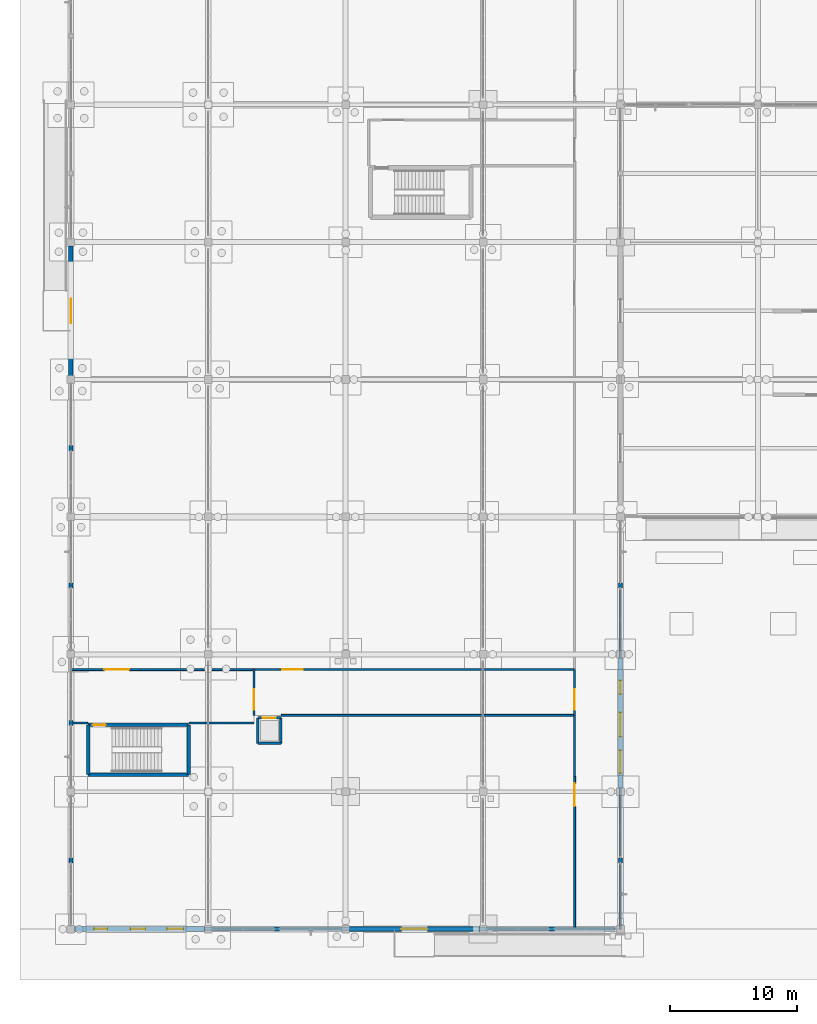
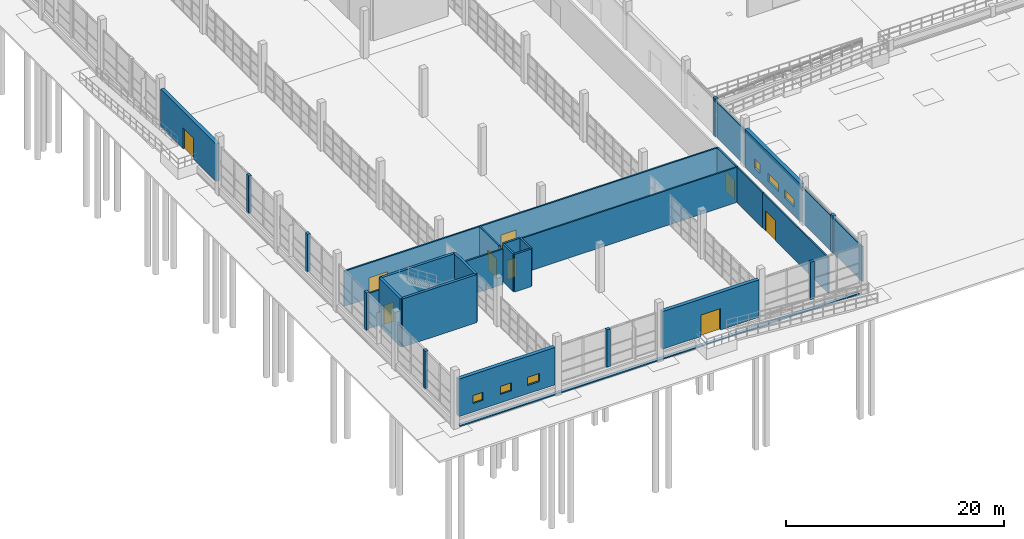
# One storey, part 98 of 138: 33 walls, 9 doors, 6 windows, 15 openings.
"""IFC4 building model written with IfcOpenShell, lengths in metres."""

import ifcopenshell
import ifcopenshell.guid

model = None  # the IFC model being written
_history = None  # IfcOwnerHistory: only IFC2X3 demands one
_inside = {}  # id of a spatial element -> (the spatial element, [elements in it])
_under = {}  # id of a project, library or spatial element -> (it, [spatial elements below it])
_declared = {}  # id of a project -> (the project, [libraries it declares])
_typed = {}  # id of a type object -> (the type object, [elements of that type])
_made_of = {}  # id of a material, layer set ... -> (it, [elements and type objects made of it])


def new_model(schema):
    """Start an empty IFC model of exactly this schema.

    Asked for "IFC4X3", IfcOpenShell would pick the latest addendum, in which some entities
    have other attributes; the version numbers below select the first issue.
    IFC2X3 requires an IfcOwnerHistory on every rooted entity: one is made here for all.
    """
    global model, _history
    if schema == "IFC4X3":
        model = ifcopenshell.file(schema_version=(4, 3, 0, 0))
    else:
        model = ifcopenshell.file(schema=schema)
    _inside.clear()
    _under.clear()
    _declared.clear()
    _typed.clear()
    _made_of.clear()
    _history = None
    if model.schema == "IFC2X3":
        org = make("IfcOrganization", Name="unknown")
        user = make(
            "IfcPersonAndOrganization",
            ThePerson=make("IfcPerson", FamilyName="unknown"),
            TheOrganization=org,
        )
        app = make(
            "IfcApplication",
            ApplicationDeveloper=org,
            Version="unknown",
            ApplicationFullName="unknown",
            ApplicationIdentifier="unknown",
        )
        _history = make(
            "IfcOwnerHistory",
            OwningUser=user,
            OwningApplication=app,
            ChangeAction="ADDED",
            CreationDate=0,
        )
    return model


def make(cls, **values):
    """One entity of the class cls with the attributes given. An attribute that is None is left unset."""
    return model.create_entity(
        cls, **{name: value for name, value in values.items() if value is not None}
    )


def rooted(cls, **values):
    """An entity with a GlobalId (a new one), such as an element, a storey or a relation."""
    return make(cls, GlobalId=ifcopenshell.guid.new(), OwnerHistory=_history, **values)


def si_unit(unit_type, name, prefix=None):
    """IfcSIUnit, for example si_unit("LENGTHUNIT", "METRE", prefix="MILLI")."""
    return make("IfcSIUnit", UnitType=unit_type, Prefix=prefix, Name=name)


def assignment(units):
    """IfcUnitAssignment: the units of a project."""
    return None if units is None else make("IfcUnitAssignment", Units=units)


def point(xyz):
    """IfcCartesianPoint."""
    return None if xyz is None else make("IfcCartesianPoint", Coordinates=xyz)


def direction(xyz):
    """IfcDirection."""
    return None if xyz is None else make("IfcDirection", DirectionRatios=xyz)


def frame(location, z_axis=None, x_axis=None):
    """IfcAxis2Placement3D, a coordinate frame: its origin and axes. An axis left out is left unset."""
    return make(
        "IfcAxis2Placement3D",
        Location=point(location),
        Axis=direction(z_axis),
        RefDirection=direction(x_axis),
    )


def frame_2d(location, x_axis=None):
    """IfcAxis2Placement2D, a coordinate frame in the plane: its origin and x axis."""
    return make(
        "IfcAxis2Placement2D", Location=point(location), RefDirection=direction(x_axis)
    )


def origin():
    """The frame at (0, 0, 0) with its axes left unset."""
    return frame((0.0, 0.0, 0.0))


def place(relative_to, where):
    """IfcLocalPlacement: puts the frame where relative to a parent placement (None: the world)."""
    return make(
        "IfcLocalPlacement", PlacementRelTo=relative_to, RelativePlacement=where
    )


def context(
    kind, dimensions, precision=None, world=None, true_north=None, identifier=None
):
    """IfcGeometricRepresentationContext, for example the 3D "Model" context."""
    return make(
        "IfcGeometricRepresentationContext",
        ContextIdentifier=identifier,
        ContextType=kind,
        CoordinateSpaceDimension=dimensions,
        Precision=precision,
        WorldCoordinateSystem=world,
        TrueNorth=true_north,
    )


def subcontext(parent, identifier, kind, view, scale=None):
    """IfcGeometricRepresentationSubContext, for example "Body" below "Model"."""
    return make(
        "IfcGeometricRepresentationSubContext",
        ContextIdentifier=identifier,
        ContextType=kind,
        ParentContext=parent,
        TargetScale=scale,
        TargetView=view,
    )


def project(units=None, contexts=None):
    """IfcProject with its units and contexts."""
    return rooted(
        "IfcProject",
        Name="project",
        RepresentationContexts=contexts,
        UnitsInContext=assignment(units),
    )


def spatial(cls, under=None, at=None, **own):
    """A site, building, storey or space (cls), placed at a placement, below another one or the project."""
    s = rooted(cls, ObjectPlacement=at, **own)
    if under is not None:
        _under.setdefault(under.id(), (under, []))[1].append(s)
    return s


def profile(cls, at=None, kind="AREA", **sizes):
    """A parametric profile (cls). Its sizes go by their IFC names, for example OverallWidth=200.0."""
    return make(cls, ProfileType=kind, Position=at, **sizes)


def rectangle(**sizes):
    """IfcRectangleProfileDef."""
    return profile("IfcRectangleProfileDef", **sizes)


def extrude(swept, where, along, depth):
    """IfcExtrudedAreaSolid: the profile swept, set in the frame where, extruded along a direction by depth."""
    return make(
        "IfcExtrudedAreaSolid",
        SweptArea=swept,
        Position=where,
        ExtrudedDirection=direction(along),
        Depth=depth,
    )


def shape(context_of_items, identifier, shape_type, items):
    """IfcShapeRepresentation: the items that make up one representation, for example the "Body"."""
    return make(
        "IfcShapeRepresentation",
        ContextOfItems=context_of_items,
        RepresentationIdentifier=identifier,
        RepresentationType=shape_type,
        Items=items,
    )


def material(Name=None, Category=None):
    """IfcMaterial."""
    return make("IfcMaterial", Name=Name, Category=Category)


def layer(
    of_material, thickness, ventilated=None, Name=None, Category=None, Priority=None
):
    """IfcMaterialLayer: one layer of a wall or slab, of a material (None: an air gap)."""
    return make(
        "IfcMaterialLayer",
        Material=of_material,
        LayerThickness=thickness,
        IsVentilated=ventilated,
        Name=Name,
        Category=Category,
        Priority=Priority,
    )


def layer_set(layers, Name=None):
    """IfcMaterialLayerSet."""
    return make("IfcMaterialLayerSet", MaterialLayers=layers, LayerSetName=Name)


def made_of(thing, what):
    """Note that an element or type object is made of a material, layer set ...; save() writes the relation."""
    if what is not None:
        _made_of.setdefault(what.id(), (what, []))[1].append(thing)
    return thing


def type_object(cls, material=None, **own):
    """A type object (cls), such as IfcWallType, which elements share."""
    return made_of(rooted(cls, **own), material)


def element(
    cls,
    number,
    at=None,
    inside=None,
    cuts=None,
    type_object=None,
    material=None,
    context=None,
    identifier="Body",
    shape_type=None,
    held_by="IfcProductDefinitionShape",
    body=None,
    shapes=None,
    **own,
):
    """One element of the class cls, such as IfcWall. Its Tag is "e" and its number.

    at: its placement. inside: the storey or other place that contains it. cuts: it is an
    opening in that element (IfcRelVoidsElement). A single representation is given by context,
    identifier, shape_type and body (its items); several are given by shapes. held_by: the class
    of the entity that holds the representations. save() writes the other relations.
    """
    e = rooted(cls, Tag="e%d" % number, ObjectPlacement=at, **own)
    if body is not None:
        shapes = [shape(context, identifier, shape_type, body)]
    if shapes is not None:
        e.Representation = make(held_by, Representations=shapes)
    if inside is not None:
        _inside.setdefault(inside.id(), (inside, []))[1].append(e)
    if cuts is not None:
        rooted(
            "IfcRelVoidsElement", RelatingBuildingElement=cuts, RelatedOpeningElement=e
        )
    if type_object is not None:
        _typed.setdefault(type_object.id(), (type_object, []))[1].append(e)
    return made_of(e, material)


def fill(opening, filler):
    """IfcRelFillsElement: the door or window that sits in an opening."""
    return rooted(
        "IfcRelFillsElement",
        RelatingOpeningElement=opening,
        RelatedBuildingElement=filler,
    )


def aggregate(whole, parts):
    """IfcRelAggregates: a whole, such as a stair, and the parts it consists of."""
    return rooted("IfcRelAggregates", RelatingObject=whole, RelatedObjects=parts)


def save(model, path):
    """Write the relations noted so far, then the file.

    IfcRelAggregates (storeys below a building ...), IfcRelContainedInSpatialStructure (elements
    in a storey), IfcRelDefinesByType, IfcRelAssociatesMaterial and IfcRelDeclares: one each for
    every whole, place, type object, material and project.
    """
    for whole, parts in _under.values():
        aggregate(whole, parts)
    for where, things in _inside.values():
        rooted(
            "IfcRelContainedInSpatialStructure",
            RelatedElements=things,
            RelatingStructure=where,
        )
    for kind, things in _typed.values():
        rooted("IfcRelDefinesByType", RelatedObjects=things, RelatingType=kind)
    for what, things in _made_of.values():
        rooted("IfcRelAssociatesMaterial", RelatedObjects=things, RelatingMaterial=what)
    for by, libraries in _declared.values():
        rooted("IfcRelDeclares", RelatingContext=by, RelatedDefinitions=libraries)
    model.write(path)


model = new_model("IFC4")

# Units and contexts
model_context = context("Model", 3, precision=1e-05, world=origin(), true_north=direction((0.0, 1.0)))
body_context = subcontext(model_context, "Body", "Model", "MODEL_VIEW")
ifc_project = project(units=[si_unit("LENGTHUNIT", "METRE"), si_unit("AREAUNIT", "SQUARE_METRE"), si_unit("VOLUMEUNIT", "CUBIC_METRE"), si_unit("PLANEANGLEUNIT", "RADIAN"), si_unit("MASSUNIT", "GRAM", prefix="KILO")], contexts=[model_context])

# Site, building, storey
site_placement = place(None, origin())
site = spatial("IfcSite", under=ifc_project, at=site_placement, CompositionType="ELEMENT")
building_placement = place(site_placement, origin())
building = spatial("IfcBuilding", under=site, at=building_placement, Name="Zwinboog Wholesale Market", CompositionType="ELEMENT")
storey_placement = place(building_placement, origin())
storey = spatial("IfcBuildingStorey", under=building, at=storey_placement, Name="L00", CompositionType="ELEMENT", Elevation=0.0)

# Wall, opening, door
ifc_material_1 = material(Name="Precast concrete C45/55", Category="concrete")
ifc_layer_1 = layer(ifc_material_1, 0.3701171875)
ifc_layer_set_1 = layer_set([ifc_layer_1], Name="Precast concrete C45/55")
wall_type_1 = type_object("IfcWallType", Name="WT-EW-370", PredefinedType="STANDARD", material=ifc_layer_set_1)
wall_1_placement = place(storey_placement, frame((0.0, 43.4951171875, 0.0), z_axis=(0.0, 0.0, 1.0), x_axis=(0.0, 1.0, 0.0)))
wall_1 = element("IfcWall", 1, at=wall_1_placement, inside=storey, type_object=wall_type_1, Name="EW-01 (WL-EW-L00-006)", PredefinedType="STANDARD", context=body_context, shape_type="SweptSolid", body=[
    extrude(rectangle(XDim=10.2099609375, YDim=0.3701171875, at=frame_2d((5.10498046875, 0.0))), origin(), (0.0, 0.0, 1.0), 4.197998046875),
])
opening_1_placement = place(wall_1_placement, frame((4.14501953125, 0.0, 0.0)))
opening_1 = element("IfcOpeningElement", 2, at=opening_1_placement, cuts=wall_1, Name="Opening EX-01", PredefinedType="OPENING", context=body_context, shape_type="SweptSolid", body=[
    extrude(rectangle(XDim=1.919921875, YDim=2.35009765625, at=frame_2d((0.9599609375, 1.175048828125))), frame((0.0, 0.195068359375, 0.0), z_axis=(0.0, -1.0, 0.0), x_axis=(1.0, 0.0, 0.0)), (0.0, 0.0, 1.0), 0.39013671875),
])
ifc_material_2 = material(Name="Insulated powder-coated steel and aluminium door", Category="steel")
door_type_1 = type_object("IfcDoorType", Name="EDT-EX-192", OperationType="DOUBLE_DOOR_SINGLE_SWING", PredefinedType="DOOR", material=ifc_material_2)
door_1_placement = place(opening_1_placement, origin())
door_1 = element("IfcDoor", 3, at=door_1_placement, inside=storey, type_object=door_type_1, Name="Pedestrian Exit Door EX-01", OperationType="DOUBLE_DOOR_SINGLE_SWING", OverallHeight=2.35009765625, OverallWidth=1.919921875, PredefinedType="DOOR", context=body_context, shape_type="SweptSolid", body=[
    extrude(rectangle(XDim=1.919921875, YDim=2.35009765625, at=frame_2d((0.9599609375, 1.175048828125))), frame((0.0, 0.02490234375, 0.0), z_axis=(0.0, -1.0, 0.0), x_axis=(1.0, 0.0, 0.0)), (0.0, 0.0, 1.0), 0.050048828125),
])
fill(opening_1, door_1)

# Wall, openings, windows
ifc_layer_2 = layer(ifc_material_1, 0.389892578125)
ifc_layer_set_2 = layer_set([ifc_layer_2], Name="Precast concrete C45/55")
wall_type_2 = type_object("IfcWallType", Name="WT-EW-390", PredefinedType="STANDARD", material=ifc_layer_set_2)
wall_2_placement = place(storey_placement, frame((0.294921875, 0.0, 0.0), z_axis=(0.0, 0.0, 1.0), x_axis=(1.0, 0.0, 0.0)))
wall_2 = element("IfcWall", 4, at=wall_2_placement, inside=storey, type_object=wall_type_2, Name="EW-02 (WL-EW-L00-001)", PredefinedType="STANDARD", context=body_context, shape_type="SweptSolid", body=[
    extrude(rectangle(XDim=10.2099609375, YDim=0.389892578125, at=frame_2d((5.10498046875, 0.0))), origin(), (0.0, 0.0, 1.0), 4.197998046875),
])
opening_2_placement = place(wall_2_placement, frame((1.52490234375, 0.0, 0.949951171875)))
opening_2 = element("IfcOpeningElement", 5, at=opening_2_placement, cuts=wall_2, Name="Opening WN-01", PredefinedType="OPENING", context=body_context, shape_type="SweptSolid", body=[
    extrude(rectangle(XDim=1.050048828125, YDim=0.89990234375, at=frame_2d((0.52490234375, 0.449951171875))), frame((0.0, 0.204833984375, 0.0), z_axis=(0.0, -1.0, 0.0), x_axis=(1.0, 0.0, 0.0)), (0.0, 0.0, 1.0), 0.409912109375),
])
opening_3_placement = place(wall_2_placement, frame((4.39501953125, 0.0, 0.949951171875)))
opening_3 = element("IfcOpeningElement", 6, at=opening_3_placement, cuts=wall_2, Name="Opening WN-02", PredefinedType="OPENING", context=body_context, shape_type="SweptSolid", body=[
    extrude(rectangle(XDim=1.169921875, YDim=0.89990234375, at=frame_2d((0.5849609375, 0.449951171875))), frame((0.0, 0.204833984375, 0.0), z_axis=(0.0, -1.0, 0.0), x_axis=(1.0, 0.0, 0.0)), (0.0, 0.0, 1.0), 0.409912109375),
])
opening_4_placement = place(wall_2_placement, frame((7.264892578125, 0.0, 0.949951171875)))
opening_4 = element("IfcOpeningElement", 7, at=opening_4_placement, cuts=wall_2, Name="Opening WN-03", PredefinedType="OPENING", context=body_context, shape_type="SweptSolid", body=[
    extrude(rectangle(XDim=1.2900390625, YDim=0.89990234375, at=frame_2d((0.64501953125, 0.449951171875))), frame((0.0, 0.204833984375, 0.0), z_axis=(0.0, -1.0, 0.0), x_axis=(1.0, 0.0, 0.0)), (0.0, 0.0, 1.0), 0.409912109375),
])
ifc_material_3 = material(Name="Thermally broken aluminium low-e window", Category="aluminium")
window_type_1 = type_object("IfcWindowType", Name="WNT-01", PartitioningType="SINGLE_PANEL", PredefinedType="WINDOW", material=ifc_material_3)
window_1_placement = place(opening_2_placement, frame((1.050048828125, 0.0, 0.0), z_axis=(0.0, 0.0, 1.0), x_axis=(-1.0, 0.0, 0.0)))
window_1 = element("IfcWindow", 8, at=window_1_placement, inside=storey, type_object=window_type_1, Name="WN-01 (WIN-L00-0001)", OverallHeight=0.89990234375, OverallWidth=1.050048828125, PartitioningType="SINGLE_PANEL", PredefinedType="WINDOW", context=body_context, shape_type="SweptSolid", body=[
    extrude(rectangle(XDim=1.050048828125, YDim=0.89990234375, at=frame_2d((0.52490234375, 0.449951171875))), frame((0.0, 0.030029296875, 0.0), z_axis=(0.0, -1.0, 0.0), x_axis=(1.0, 0.0, 0.0)), (0.0, 0.0, 1.0), 0.06005859375),
])
fill(opening_2, window_1)
window_type_2 = type_object("IfcWindowType", Name="WNT-02", PartitioningType="SINGLE_PANEL", PredefinedType="WINDOW", material=ifc_material_3)
window_2_placement = place(opening_3_placement, frame((1.169921875, 0.0, 0.0), z_axis=(0.0, 0.0, 1.0), x_axis=(-1.0, 0.0, 0.0)))
window_2 = element("IfcWindow", 9, at=window_2_placement, inside=storey, type_object=window_type_2, Name="WN-02 (WIN-L00-0002)", OverallHeight=0.89990234375, OverallWidth=1.169921875, PartitioningType="SINGLE_PANEL", PredefinedType="WINDOW", context=body_context, shape_type="SweptSolid", body=[
    extrude(rectangle(XDim=1.169921875, YDim=0.89990234375, at=frame_2d((0.5849609375, 0.449951171875))), frame((0.0, 0.030029296875, 0.0), z_axis=(0.0, -1.0, 0.0), x_axis=(1.0, 0.0, 0.0)), (0.0, 0.0, 1.0), 0.06005859375),
])
fill(opening_3, window_2)
window_type_3 = type_object("IfcWindowType", Name="WNT-03", PartitioningType="SINGLE_PANEL", PredefinedType="WINDOW", material=ifc_material_3)
window_3_placement = place(opening_4_placement, frame((1.2900390625, 0.0, 0.0), z_axis=(0.0, 0.0, 1.0), x_axis=(-1.0, 0.0, 0.0)))
window_3 = element("IfcWindow", 10, at=window_3_placement, inside=storey, type_object=window_type_3, Name="WN-03 (WIN-L00-0003)", OverallHeight=0.89990234375, OverallWidth=1.2900390625, PartitioningType="SINGLE_PANEL", PredefinedType="WINDOW", context=body_context, shape_type="SweptSolid", body=[
    extrude(rectangle(XDim=1.2900390625, YDim=0.89990234375, at=frame_2d((0.64501953125, 0.449951171875))), frame((0.0, 0.030029296875, 0.0), z_axis=(0.0, -1.0, 0.0), x_axis=(1.0, 0.0, 0.0)), (0.0, 0.0, 1.0), 0.06005859375),
])
fill(opening_4, window_3)

# Wall, opening, door
wall_3_placement = place(storey_placement, frame((21.89501953125, 0.0, 0.0), z_axis=(0.0, 0.0, 1.0), x_axis=(1.0, 0.0, 0.0)))
wall_3 = element("IfcWall", 11, at=wall_3_placement, inside=storey, type_object=wall_type_2, Name="EW-02 (WL-EW-L00-017)", PredefinedType="STANDARD", context=body_context, shape_type="SweptSolid", body=[
    extrude(rectangle(XDim=10.2099609375, YDim=0.389892578125, at=frame_2d((5.10498046875, 0.0))), origin(), (0.0, 0.0, 1.0), 4.197998046875),
])
opening_5_placement = place(wall_3_placement, frame((4.074951171875, 0.0, 0.0)))
opening_5 = element("IfcOpeningElement", 12, at=opening_5_placement, cuts=wall_3, Name="Opening EX-02", PredefinedType="OPENING", context=body_context, shape_type="SweptSolid", body=[
    extrude(rectangle(XDim=2.06005859375, YDim=2.39990234375, at=frame_2d((1.030029296875, 1.199951171875))), frame((0.0, 0.204833984375, 0.0), z_axis=(0.0, -1.0, 0.0), x_axis=(1.0, 0.0, 0.0)), (0.0, 0.0, 1.0), 0.409912109375),
])
door_type_2 = type_object("IfcDoorType", Name="EDT-EX-206", OperationType="DOUBLE_DOOR_SINGLE_SWING", PredefinedType="DOOR", material=ifc_material_2)
door_2_placement = place(opening_5_placement, frame((2.06005859375, 0.0, 0.0), z_axis=(0.0, 0.0, 1.0), x_axis=(-1.0, 0.0, 0.0)))
door_2 = element("IfcDoor", 13, at=door_2_placement, inside=storey, type_object=door_type_2, Name="Pedestrian Exit Door EX-02", OperationType="DOUBLE_DOOR_SINGLE_SWING", OverallHeight=2.39990234375, OverallWidth=2.06005859375, PredefinedType="DOOR", context=body_context, shape_type="SweptSolid", body=[
    extrude(rectangle(XDim=2.06005859375, YDim=2.39990234375, at=frame_2d((1.030029296875, 1.199951171875))), frame((0.0, 0.02490234375, 0.0), z_axis=(0.0, -1.0, 0.0), x_axis=(1.0, 0.0, 0.0)), (0.0, 0.0, 1.0), 0.050048828125),
])
fill(opening_5, door_2)

# Wall, openings, windows
wall_4_placement = place(storey_placement, frame((43.199951171875, 11.094970703125, 0.0), z_axis=(0.0, 0.0, 1.0), x_axis=(0.0, 1.0, 0.0)))
wall_4 = element("IfcWall", 14, at=wall_4_placement, inside=storey, type_object=wall_type_2, Name="EW-02 (WL-EW-L00-021)", PredefinedType="STANDARD", context=body_context, shape_type="SweptSolid", body=[
    extrude(rectangle(XDim=10.2099609375, YDim=0.389892578125, at=frame_2d((5.10498046875, 0.0))), origin(), (0.0, 0.0, 1.0), 4.25),
])
opening_6_placement = place(wall_4_placement, frame((1.1650390625, 0.0, 0.949951171875)))
opening_6 = element("IfcOpeningElement", 15, at=opening_6_placement, cuts=wall_4, Name="Opening WN-07", PredefinedType="OPENING", context=body_context, shape_type="SweptSolid", body=[
    extrude(rectangle(XDim=1.77001953125, YDim=0.89990234375, at=frame_2d((0.885009765625, 0.449951171875))), frame((0.0, 0.204833984375, 0.0), z_axis=(0.0, -1.0, 0.0), x_axis=(1.0, 0.0, 0.0)), (0.0, 0.0, 1.0), 0.409912109375),
])
opening_7_placement = place(wall_4_placement, frame((4.034912109375, 0.0, 0.949951171875)))
opening_7 = element("IfcOpeningElement", 16, at=opening_7_placement, cuts=wall_4, Name="Opening WN-08", PredefinedType="OPENING", context=body_context, shape_type="SweptSolid", body=[
    extrude(rectangle(XDim=1.889892578125, YDim=0.89990234375, at=frame_2d((0.94482421875, 0.449951171875))), frame((0.0, 0.204833984375, 0.0), z_axis=(0.0, -1.0, 0.0), x_axis=(1.0, 0.0, 0.0)), (0.0, 0.0, 1.0), 0.409912109375),
])
opening_8_placement = place(wall_4_placement, frame((7.385009765625, 0.0, 0.949951171875)))
opening_8 = element("IfcOpeningElement", 17, at=opening_8_placement, cuts=wall_4, Name="Opening WN-09", PredefinedType="OPENING", context=body_context, shape_type="SweptSolid", body=[
    extrude(rectangle(XDim=1.050048828125, YDim=1.050048828125, at=frame_2d((0.52490234375, 0.52490234375))), frame((0.0, 0.204833984375, 0.0), z_axis=(0.0, -1.0, 0.0), x_axis=(1.0, 0.0, 0.0)), (0.0, 0.0, 1.0), 0.409912109375),
])
window_type_4 = type_object("IfcWindowType", Name="WNT-07", PartitioningType="SINGLE_PANEL", PredefinedType="WINDOW", material=ifc_material_3)
window_4_placement = place(opening_6_placement, frame((1.77001953125, 0.0, 0.0), z_axis=(0.0, 0.0, 1.0), x_axis=(-1.0, 0.0, 0.0)))
window_4 = element("IfcWindow", 18, at=window_4_placement, inside=storey, type_object=window_type_4, Name="WN-07 (WIN-L00-0007)", OverallHeight=0.89990234375, OverallWidth=1.77001953125, PartitioningType="SINGLE_PANEL", PredefinedType="WINDOW", context=body_context, shape_type="SweptSolid", body=[
    extrude(rectangle(XDim=1.77001953125, YDim=0.89990234375, at=frame_2d((0.885009765625, 0.449951171875))), frame((0.0, 0.030029296875, 0.0), z_axis=(0.0, -1.0, 0.0), x_axis=(1.0, 0.0, 0.0)), (0.0, 0.0, 1.0), 0.06005859375),
])
fill(opening_6, window_4)
window_type_5 = type_object("IfcWindowType", Name="WNT-08", PartitioningType="SINGLE_PANEL", PredefinedType="WINDOW", material=ifc_material_3)
window_5_placement = place(opening_7_placement, frame((1.889892578125, 0.0, 0.0), z_axis=(0.0, 0.0, 1.0), x_axis=(-1.0, 0.0, 0.0)))
window_5 = element("IfcWindow", 19, at=window_5_placement, inside=storey, type_object=window_type_5, Name="WN-08 (WIN-L00-0008)", OverallHeight=0.89990234375, OverallWidth=1.889892578125, PartitioningType="SINGLE_PANEL", PredefinedType="WINDOW", context=body_context, shape_type="SweptSolid", body=[
    extrude(rectangle(XDim=1.889892578125, YDim=0.89990234375, at=frame_2d((0.94482421875, 0.449951171875))), frame((0.0, 0.030029296875, 0.0), z_axis=(0.0, -1.0, 0.0), x_axis=(1.0, 0.0, 0.0)), (0.0, 0.0, 1.0), 0.06005859375),
])
fill(opening_7, window_5)
window_type_6 = type_object("IfcWindowType", Name="WNT-09", PartitioningType="SINGLE_PANEL", PredefinedType="WINDOW", material=ifc_material_3)
window_6_placement = place(opening_8_placement, frame((1.050048828125, 0.0, 0.0), z_axis=(0.0, 0.0, 1.0), x_axis=(-1.0, 0.0, 0.0)))
window_6 = element("IfcWindow", 20, at=window_6_placement, inside=storey, type_object=window_type_6, Name="WN-09 (WIN-L00-0009)", OverallHeight=1.050048828125, OverallWidth=1.050048828125, PartitioningType="SINGLE_PANEL", PredefinedType="WINDOW", context=body_context, shape_type="SweptSolid", body=[
    extrude(rectangle(XDim=1.050048828125, YDim=1.050048828125, at=frame_2d((0.52490234375, 0.52490234375))), frame((0.0, 0.030029296875, 0.0), z_axis=(0.0, -1.0, 0.0), x_axis=(1.0, 0.0, 0.0)), (0.0, 0.0, 1.0), 0.06005859375),
])
fill(opening_8, window_6)

# Walls
ifc_layer_3 = layer(ifc_material_1, 0.304931640625)
ifc_layer_set_3 = layer_set([ifc_layer_3], Name="Precast concrete C45/55")
wall_type_3 = type_object("IfcWallType", Name="WT-EW-305", PredefinedType="STANDARD", material=ifc_layer_set_3)
wall_5_placement = place(storey_placement, frame((0.0, 5.199951171875, 0.0), z_axis=(0.0, 0.0, 1.0), x_axis=(0.0, 1.0, 0.0)))
element("IfcWall", 21, at=wall_5_placement, inside=storey, type_object=wall_type_3, Name="EW-07 (WL-PIER-L00-002)", PredefinedType="STANDARD", context=body_context, shape_type="SweptSolid", body=[
    extrude(rectangle(XDim=0.400146484375, YDim=0.304931640625, at=frame_2d((0.2001953125, 0.0))), origin(), (0.0, 0.0, 1.0), 4.197998046875),
])
for number, where, z_axis, x_axis, name in (
    (22, (0.0, 16.0, 0.0), (0.0, 0.0, 1.0), (0.0, 1.0, 0.0), "EW-07 (WL-PIER-L00-003)"),
    (23, (0.0, 26.800048828125, 0.0), (0.0, 0.0, 1.0), (0.0, 1.0, 0.0), "EW-07 (WL-PIER-L00-004)"),
    (24, (0.0, 37.60009765625, 0.0), (0.0, 0.0, 1.0), (0.0, 1.0, 0.0), "EW-07 (WL-PIER-L00-005)"),
    (25, (16.0, 0.0, 0.0), (0.0, 0.0, 1.0), (1.0, 0.0, 0.0), "EW-07 (WL-PIER-L00-015)"),
    (26, (37.60009765625, 0.0, 0.0), (0.0, 0.0, 1.0), (1.0, 0.0, 0.0), "EW-07 (WL-PIER-L00-019)"),
):
    element("IfcWall", number, at=place(storey_placement, frame(where, z_axis=z_axis, x_axis=x_axis)), inside=storey, type_object=wall_type_3, Name=name, PredefinedType="STANDARD", context=body_context, shape_type="SweptSolid", body=[
        extrude(rectangle(XDim=0.39990234375, YDim=0.304931640625, at=frame_2d((0.199951171875, 0.0))), origin(), (0.0, 0.0, 1.0), 4.197998046875),
    ])
wall_6_placement = place(storey_placement, frame((43.199951171875, 5.199951171875, 0.0), z_axis=(0.0, 0.0, 1.0), x_axis=(0.0, 1.0, 0.0)))
element("IfcWall", 27, at=wall_6_placement, inside=storey, type_object=wall_type_3, Name="EW-07 (WL-PIER-L00-020)", PredefinedType="STANDARD", context=body_context, shape_type="SweptSolid", body=[
    extrude(rectangle(XDim=0.400146484375, YDim=0.304931640625, at=frame_2d((0.2001953125, 0.0))), origin(), (0.0, 0.0, 1.0), 4.25),
])
wall_7_placement = place(storey_placement, frame((43.199951171875, 26.800048828125, 0.0), z_axis=(0.0, 0.0, 1.0), x_axis=(0.0, 1.0, 0.0)))
element("IfcWall", 28, at=wall_7_placement, inside=storey, type_object=wall_type_3, Name="EW-07 (WL-PIER-L00-022)", PredefinedType="STANDARD", context=body_context, shape_type="SweptSolid", body=[
    extrude(rectangle(XDim=0.39990234375, YDim=0.304931640625, at=frame_2d((0.199951171875, 0.0))), origin(), (0.0, 0.0, 1.0), 4.25),
])
ifc_material_4 = material(Name="Concrete C40/50", Category="concrete")
ifc_layer_4 = layer(ifc_material_4, 0.333984375)
ifc_layer_set_4 = layer_set([ifc_layer_4], Name="Concrete C40/50")
wall_type_4 = type_object("IfcWallType", Name="WT-RW-334", PredefinedType="USERDEFINED", material=ifc_layer_set_4)
wall_8_placement = place(storey_placement, frame((0.449951171875, 0.0, -1.199951171875), z_axis=(0.0, 0.0, 1.0), x_axis=(1.0, 0.0, 0.0)))
element("IfcWall", 29, at=wall_8_placement, inside=storey, type_object=wall_type_4, Name="RW-01 (WL-RET-01)", ObjectType="RETAININGWALL", PredefinedType="USERDEFINED", context=body_context, shape_type="SweptSolid", body=[
    extrude(rectangle(XDim=42.300048828125, YDim=0.333984375, at=frame_2d((21.14990234375, 0.0))), origin(), (0.0, 0.0, 1.0), 0.139892578125),
])
ifc_layer_5 = layer(ifc_material_4, 0.280029296875)
ifc_layer_set_5 = layer_set([ifc_layer_5], Name="Concrete C40/50")
wall_type_5 = type_object("IfcWallType", Name="WT-SW-280", PredefinedType="SHEAR", material=ifc_layer_set_5)
wall_9_placement = place(storey_placement, frame((1.35009765625, 12.14990234375, 0.0), z_axis=(0.0, 0.0, 1.0), x_axis=(1.0, 0.0, 0.0)))
element("IfcWall", 30, at=wall_9_placement, inside=storey, type_object=wall_type_5, Name="SW-01 (WL-SW-L00-001)", PredefinedType="SHEAR", context=body_context, shape_type="SweptSolid", body=[
    extrude(rectangle(XDim=7.89990234375, YDim=0.280029296875, at=frame_2d((3.949951171875, 0.0))), origin(), (0.0, 0.0, 1.0), 5.39990234375),
])

# Wall, opening, door
wall_10_placement = place(storey_placement, frame((1.35009765625, 16.050048828125, 0.0), z_axis=(0.0, 0.0, 1.0), x_axis=(1.0, 0.0, 0.0)))
wall_10 = element("IfcWall", 31, at=wall_10_placement, inside=storey, type_object=wall_type_5, Name="SW-01 (WL-SW-L00-002)", PredefinedType="SHEAR", context=body_context, shape_type="SweptSolid", body=[
    extrude(rectangle(XDim=7.89990234375, YDim=0.280029296875, at=frame_2d((3.949951171875, 0.0))), origin(), (0.0, 0.0, 1.0), 5.39990234375),
])
opening_9_placement = place(wall_10_placement, frame((0.3798828125, 0.0, 0.0)))
opening_9 = element("IfcOpeningElement", 32, at=opening_9_placement, cuts=wall_10, Name="Opening FD-0001", PredefinedType="OPENING", context=body_context, shape_type="SweptSolid", body=[
    extrude(rectangle(XDim=1.0, YDim=2.14990234375, at=frame_2d((0.5, 1.074951171875))), frame((0.0, 0.14990234375, 0.0), z_axis=(0.0, -1.0, 0.0), x_axis=(1.0, 0.0, 0.0)), (0.0, 0.0, 1.0), 0.300048828125),
])
ifc_material_5 = material(Name="Timber and powder-coated steel door leaf", Category="steel")
door_type_3 = type_object("IfcDoorType", Name="IDT-FD-01", OperationType="NOTDEFINED", PredefinedType="DOOR", material=ifc_material_5)
door_3_placement = place(opening_9_placement, frame((1.0, 0.0, 0.0), z_axis=(0.0, 0.0, 1.0), x_axis=(-1.0, 0.0, 0.0)))
door_3 = element("IfcDoor", 33, at=door_3_placement, inside=storey, type_object=door_type_3, Name="Core Fire Door FD-0001", OperationType="SINGLE_SWING_RIGHT", OverallHeight=2.14990234375, OverallWidth=1.0, PredefinedType="DOOR", context=body_context, shape_type="SweptSolid", body=[
    extrude(rectangle(XDim=1.0, YDim=2.14990234375, at=frame_2d((0.5, 1.074951171875))), frame((0.0, 0.02490234375, 0.0), z_axis=(0.0, -1.0, 0.0), x_axis=(1.0, 0.0, 0.0)), (0.0, 0.0, 1.0), 0.050048828125),
])
fill(opening_9, door_3)

# Walls
for number, where, z_axis, x_axis, name in (
    (34, (1.35009765625, 12.14990234375, 0.0), (0.0, 0.0, 1.0), (0.0, 1.0, 0.0), "SW-01 (WL-SW-L00-003)"),
    (35, (9.25, 12.14990234375, 0.0), (0.0, 0.0, 1.0), (0.0, 1.0, 0.0), "SW-01 (WL-SW-L00-004)"),
):
    element("IfcWall", number, at=place(storey_placement, frame(where, z_axis=z_axis, x_axis=x_axis)), inside=storey, type_object=wall_type_5, Name=name, PredefinedType="SHEAR", context=body_context, shape_type="SweptSolid", body=[
        extrude(rectangle(XDim=3.900146484375, YDim=0.280029296875, at=frame_2d((1.9501953125, 0.0))), origin(), (0.0, 0.0, 1.0), 5.39990234375),
    ])
ifc_layer_6 = layer(ifc_material_1, 0.199951171875)
ifc_layer_set_6 = layer_set([ifc_layer_6], Name="Precast concrete C45/55")
wall_type_6 = type_object("IfcWallType", Name="WT-IW-200", PredefinedType="SOLIDWALL", material=ifc_layer_set_6)
wall_11_placement = place(storey_placement, frame((14.699951171875, 14.60009765625, 0.0), z_axis=(0.0, 0.0, 1.0), x_axis=(1.0, 0.0, 0.0)))
element("IfcWall", 36, at=wall_11_placement, inside=storey, type_object=wall_type_6, Name="IW-60 (WL-LSH-L00-169)", PredefinedType="SOLIDWALL", context=body_context, shape_type="SweptSolid", body=[
    extrude(rectangle(XDim=1.800048828125, YDim=0.199951171875, at=frame_2d((0.89990234375, 0.0))), origin(), (0.0, 0.0, 1.0), 4.219970703125),
])

# Wall, opening, door
wall_12_placement = place(storey_placement, frame((14.699951171875, 16.60009765625, 0.0), z_axis=(0.0, 0.0, 1.0), x_axis=(1.0, 0.0, 0.0)))
wall_12 = element("IfcWall", 37, at=wall_12_placement, inside=storey, type_object=wall_type_6, Name="IW-60 (WL-LSH-L00-170)", PredefinedType="SOLIDWALL", context=body_context, shape_type="SweptSolid", body=[
    extrude(rectangle(XDim=1.800048828125, YDim=0.199951171875, at=frame_2d((0.89990234375, 0.0))), origin(), (0.0, 0.0, 1.0), 4.219970703125),
])
opening_10_placement = place(wall_12_placement, frame((0.39990234375, 0.0, 0.0)))
opening_10 = element("IfcOpeningElement", 38, at=opening_10_placement, cuts=wall_12, Name="Opening LD-001", PredefinedType="OPENING", context=body_context, shape_type="SweptSolid", body=[
    extrude(rectangle(XDim=1.0, YDim=2.14990234375, at=frame_2d((0.5, 1.074951171875))), frame((0.0, 0.10986328125, 0.0), z_axis=(0.0, -1.0, 0.0), x_axis=(1.0, 0.0, 0.0)), (0.0, 0.0, 1.0), 0.219970703125),
])
door_type_4 = type_object("IfcDoorType", Name="IDT-LD-100", OperationType="DOUBLE_DOOR_SLIDING", PredefinedType="DOOR", material=ifc_material_5)
door_4_placement = place(opening_10_placement, origin())
door_4 = element("IfcDoor", 39, at=door_4_placement, inside=storey, type_object=door_type_4, Name="Lift Landing Door LD-001 (LP-01)", OperationType="DOUBLE_DOOR_SLIDING", OverallHeight=2.14990234375, OverallWidth=1.0, PredefinedType="DOOR", context=body_context, shape_type="SweptSolid", body=[
    extrude(rectangle(XDim=1.0, YDim=2.14990234375, at=frame_2d((0.5, 1.074951171875))), frame((0.0, 0.02490234375, 0.0), z_axis=(0.0, -1.0, 0.0), x_axis=(1.0, 0.0, 0.0)), (0.0, 0.0, 1.0), 0.050048828125),
])
fill(opening_10, door_4)

# Walls
for number, where, z_axis, x_axis, name in (
    (40, (14.699951171875, 14.60009765625, 0.0), (0.0, 0.0, 1.0), (0.0, 1.0, 0.0), "IW-60 (WL-LSH-L00-171)"),
    (41, (16.5, 14.60009765625, 0.0), (0.0, 0.0, 1.0), (0.0, 1.0, 0.0), "IW-60 (WL-LSH-L00-172)"),
):
    element("IfcWall", number, at=place(storey_placement, frame(where, z_axis=z_axis, x_axis=x_axis)), inside=storey, type_object=wall_type_6, Name=name, PredefinedType="SOLIDWALL", context=body_context, shape_type="SweptSolid", body=[
        extrude(rectangle(XDim=2.0, YDim=0.199951171875, at=frame_2d((1.0, 0.0))), origin(), (0.0, 0.0, 1.0), 4.219970703125),
    ])

# Wall, opening, door
ifc_material_6 = material(Name="Fire-rated corridor stud partition")
ifc_layer_7 = layer(ifc_material_6, 0.154052734375)
ifc_layer_set_7 = layer_set([ifc_layer_7], Name="Fire-rated corridor stud partition")
wall_type_7 = type_object("IfcWallType", Name="WT-PT-154", PredefinedType="PARTITIONING", material=ifc_layer_set_7)
wall_13_placement = place(storey_placement, frame((14.39990234375, 16.800048828125, 0.0), z_axis=(0.0, 0.0, 1.0), x_axis=(0.0, 1.0, 0.0)))
wall_13 = element("IfcWall", 42, at=wall_13_placement, inside=storey, type_object=wall_type_7, Name="PW-04 (WL-IN-L00-0001)", PredefinedType="PARTITIONING", context=body_context, shape_type="SweptSolid", body=[
    extrude(rectangle(XDim=3.599853515625, YDim=0.154052734375, at=frame_2d((1.7998046875, 0.0))), origin(), (0.0, 0.0, 1.0), 3.949951171875),
])
opening_11_placement = place(wall_13_placement, frame((0.4599609375, 0.0, 0.0)))
opening_11 = element("IfcOpeningElement", 43, at=opening_11_placement, cuts=wall_13, Name="Opening IDF-0001", PredefinedType="OPENING", context=body_context, shape_type="SweptSolid", body=[
    extrude(rectangle(XDim=1.60009765625, YDim=2.199951171875, at=frame_2d((0.800048828125, 1.10009765625))), frame((0.0, 0.0869140625, 0.0), z_axis=(0.0, -1.0, 0.0), x_axis=(1.0, 0.0, 0.0)), (0.0, 0.0, 1.0), 0.174072265625),
])
door_type_5 = type_object("IfcDoorType", Name="IDT-FD-03", OperationType="DOUBLE_DOOR_SINGLE_SWING", PredefinedType="DOOR", material=ifc_material_5)
door_5_placement = place(opening_11_placement, origin())
door_5 = element("IfcDoor", 44, at=door_5_placement, inside=storey, type_object=door_type_5, Name="Interior Door IDF-0001", OperationType="DOUBLE_DOOR_SINGLE_SWING", OverallHeight=2.199951171875, OverallWidth=1.60009765625, PredefinedType="DOOR", context=body_context, shape_type="SweptSolid", body=[
    extrude(rectangle(XDim=1.60009765625, YDim=2.199951171875, at=frame_2d((0.800048828125, 1.10009765625))), frame((0.0, 0.02490234375, 0.0), z_axis=(0.0, -1.0, 0.0), x_axis=(1.0, 0.0, 0.0)), (0.0, 0.0, 1.0), 0.050048828125),
])
fill(opening_11, door_5)

wall_14_placement = place(storey_placement, frame((0.0, 20.39990234375, 0.0), z_axis=(0.0, 0.0, 1.0), x_axis=(1.0, 0.0, 0.0)))
wall_14 = element("IfcWall", 45, at=wall_14_placement, inside=storey, type_object=wall_type_7, Name="PW-04 (WL-IN-L00-0011)", PredefinedType="PARTITIONING", context=body_context, shape_type="SweptSolid", body=[
    extrude(rectangle(XDim=14.39990234375, YDim=0.154052734375, at=frame_2d((7.199951171875, 0.0))), origin(), (0.0, 0.0, 1.0), 3.949951171875),
])
opening_12_placement = place(wall_14_placement, frame((2.6201171875, 0.0, 0.0)))
opening_12 = element("IfcOpeningElement", 46, at=opening_12_placement, cuts=wall_14, Name="Opening IDF-0011", PredefinedType="OPENING", context=body_context, shape_type="SweptSolid", body=[
    extrude(rectangle(XDim=1.9599609375, YDim=2.300048828125, at=frame_2d((0.97998046875, 1.14990234375))), frame((0.0, 0.0869140625, 0.0), z_axis=(0.0, -1.0, 0.0), x_axis=(1.0, 0.0, 0.0)), (0.0, 0.0, 1.0), 0.174072265625),
])
door_type_6 = type_object("IfcDoorType", Name="IDT-FD-05", OperationType="DOUBLE_DOOR_SINGLE_SWING", PredefinedType="DOOR", material=ifc_material_5)
door_6_placement = place(opening_12_placement, origin())
door_6 = element("IfcDoor", 47, at=door_6_placement, inside=storey, type_object=door_type_6, Name="Interior Door IDF-0011", OperationType="DOUBLE_DOOR_SINGLE_SWING", OverallHeight=2.300048828125, OverallWidth=1.9599609375, PredefinedType="DOOR", context=body_context, shape_type="SweptSolid", body=[
    extrude(rectangle(XDim=1.9599609375, YDim=2.300048828125, at=frame_2d((0.97998046875, 1.14990234375))), frame((0.0, 0.02490234375, 0.0), z_axis=(0.0, -1.0, 0.0), x_axis=(1.0, 0.0, 0.0)), (0.0, 0.0, 1.0), 0.050048828125),
])
fill(opening_12, door_6)

wall_15_placement = place(storey_placement, frame((14.39990234375, 20.39990234375, 0.0), z_axis=(0.0, 0.0, 1.0), x_axis=(1.0, 0.0, 0.0)))
wall_15 = element("IfcWall", 48, at=wall_15_placement, inside=storey, type_object=wall_type_7, Name="PW-04 (WL-IN-L00-0013)", PredefinedType="PARTITIONING", context=body_context, shape_type="SweptSolid", body=[
    extrude(rectangle(XDim=25.2001953125, YDim=0.154052734375, at=frame_2d((12.60009765625, 0.0))), origin(), (0.0, 0.0, 1.0), 3.949951171875),
])
opening_13_placement = place(wall_15_placement, frame((2.22412109375, 0.0, 0.0)))
opening_13 = element("IfcOpeningElement", 49, at=opening_13_placement, cuts=wall_15, Name="Opening IDF-0013", PredefinedType="OPENING", context=body_context, shape_type="SweptSolid", body=[
    extrude(rectangle(XDim=1.60009765625, YDim=2.199951171875, at=frame_2d((0.800048828125, 1.10009765625))), frame((0.0, 0.0869140625, 0.0), z_axis=(0.0, -1.0, 0.0), x_axis=(1.0, 0.0, 0.0)), (0.0, 0.0, 1.0), 0.174072265625),
])
door_7_placement = place(opening_13_placement, origin())
door_7 = element("IfcDoor", 50, at=door_7_placement, inside=storey, type_object=door_type_5, Name="Interior Door IDF-0013", OperationType="DOUBLE_DOOR_SINGLE_SWING", OverallHeight=2.199951171875, OverallWidth=1.60009765625, PredefinedType="DOOR", context=body_context, shape_type="SweptSolid", body=[
    extrude(rectangle(XDim=1.60009765625, YDim=2.199951171875, at=frame_2d((0.800048828125, 1.10009765625))), frame((0.0, 0.02490234375, 0.0), z_axis=(0.0, -1.0, 0.0), x_axis=(1.0, 0.0, 0.0)), (0.0, 0.0, 1.0), 0.050048828125),
])
fill(opening_13, door_7)

wall_16_placement = place(storey_placement, frame((39.60009765625, 0.0, 0.0), z_axis=(0.0, 0.0, 1.0), x_axis=(0.0, 1.0, 0.0)))
wall_16 = element("IfcWall", 51, at=wall_16_placement, inside=storey, type_object=wall_type_7, Name="PW-04 (WL-IN-L00-0015)", PredefinedType="PARTITIONING", context=body_context, shape_type="SweptSolid", body=[
    extrude(rectangle(XDim=12.0, YDim=0.154052734375, at=frame_2d((6.0, 0.0))), origin(), (0.0, 0.0, 1.0), 3.949951171875),
])
opening_14_placement = place(wall_16_placement, frame((9.64990234375, 0.0, 0.0)))
opening_14 = element("IfcOpeningElement", 52, at=opening_14_placement, cuts=wall_16, Name="Opening IDF-0015", PredefinedType="OPENING", context=body_context, shape_type="SweptSolid", body=[
    extrude(rectangle(XDim=1.820068359375, YDim=2.25, at=frame_2d((0.91015625, 1.125))), frame((0.0, 0.0869140625, 0.0), z_axis=(0.0, -1.0, 0.0), x_axis=(1.0, 0.0, 0.0)), (0.0, 0.0, 1.0), 0.174072265625),
])
door_type_7 = type_object("IfcDoorType", Name="IDT-FD-04", OperationType="DOUBLE_DOOR_SINGLE_SWING", PredefinedType="DOOR", material=ifc_material_5)
door_8_placement = place(opening_14_placement, frame((1.820068359375, 0.0, 0.0), z_axis=(0.0, 0.0, 1.0), x_axis=(-1.0, 0.0, 0.0)))
door_8 = element("IfcDoor", 53, at=door_8_placement, inside=storey, type_object=door_type_7, Name="Interior Door IDF-0015", OperationType="DOUBLE_DOOR_SINGLE_SWING", OverallHeight=2.25, OverallWidth=1.820068359375, PredefinedType="DOOR", context=body_context, shape_type="SweptSolid", body=[
    extrude(rectangle(XDim=1.820068359375, YDim=2.25, at=frame_2d((0.91015625, 1.125))), frame((0.0, 0.02490234375, 0.0), z_axis=(0.0, -1.0, 0.0), x_axis=(1.0, 0.0, 0.0)), (0.0, 0.0, 1.0), 0.050048828125),
])
fill(opening_14, door_8)

# Walls
wall_17_placement = place(storey_placement, frame((16.52001953125, 16.800048828125, 0.0), z_axis=(0.0, 0.0, 1.0), x_axis=(1.0, 0.0, 0.0)))
element("IfcWall", 54, at=wall_17_placement, inside=storey, type_object=wall_type_7, Name="PW-04 (WL-IN-L00-0047)", PredefinedType="PARTITIONING", context=body_context, shape_type="SweptSolid", body=[
    extrude(rectangle(XDim=23.080078125, YDim=0.154052734375, at=frame_2d((11.5400390625, 0.0))), origin(), (0.0, 0.0, 1.0), 3.949951171875),
])
wall_18_placement = place(storey_placement, frame((43.199951171875, 0.0, 0.0), z_axis=(0.0, 0.0, 1.0), x_axis=(0.0, 1.0, 0.0)))
element("IfcWall", 55, at=wall_18_placement, inside=storey, type_object=wall_type_7, Name="PW-04 (WL-IN-L00-0061)", PredefinedType="PARTITIONING", context=body_context, shape_type="SweptSolid", body=[
    extrude(rectangle(XDim=5.047607421875, YDim=0.154052734375, at=frame_2d((2.52392578125, 0.0))), origin(), (0.0, 0.0, 1.0), 3.949951171875),
])
for number, where, z_axis, x_axis, name in (
    (56, (43.199951171875, 5.75244140625, 0.0), (0.0, 0.0, 1.0), (0.0, 1.0, 0.0), "PW-04 (WL-IN-L00-0062)"),
    (57, (43.199951171875, 21.324951171875, 0.0), (0.0, 0.0, 1.0), (0.0, 1.0, 0.0), "PW-04 (WL-IN-L00-0063)"),
):
    element("IfcWall", number, at=place(storey_placement, frame(where, z_axis=z_axis, x_axis=x_axis)), inside=storey, type_object=wall_type_7, Name=name, PredefinedType="PARTITIONING", context=body_context, shape_type="SweptSolid", body=[
        extrude(rectangle(XDim=5.322509765625, YDim=0.154052734375, at=frame_2d((2.6611328125, 0.0))), origin(), (0.0, 0.0, 1.0), 3.949951171875),
    ])

# Wall, opening, door
ifc_material_7 = material(Name="Laboratory acoustic partition")
ifc_layer_8 = layer(ifc_material_7, 0.16796875)
ifc_layer_set_8 = layer_set([ifc_layer_8], Name="Laboratory acoustic partition")
wall_type_8 = type_object("IfcWallType", Name="WT-PT-168", PredefinedType="PARTITIONING", material=ifc_layer_set_8)
wall_19_placement = place(storey_placement, frame((39.60009765625, 16.800048828125, 0.0), z_axis=(0.0, 0.0, 1.0), x_axis=(0.0, 1.0, 0.0)))
wall_19 = element("IfcWall", 58, at=wall_19_placement, inside=storey, type_object=wall_type_8, Name="PW-05 (WL-IN-L00-0002)", PredefinedType="PARTITIONING", context=body_context, shape_type="SweptSolid", body=[
    extrude(rectangle(XDim=3.599853515625, YDim=0.16796875, at=frame_2d((1.7998046875, 0.0))), origin(), (0.0, 0.0, 1.0), 3.949951171875),
])
opening_15_placement = place(wall_19_placement, frame((0.4599609375, 0.0, 0.0)))
opening_15 = element("IfcOpeningElement", 59, at=opening_15_placement, cuts=wall_19, Name="Opening IDF-0002", PredefinedType="OPENING", context=body_context, shape_type="SweptSolid", body=[
    extrude(rectangle(XDim=1.60009765625, YDim=2.199951171875, at=frame_2d((0.800048828125, 1.10009765625))), frame((0.0, 0.093994140625, 0.0), z_axis=(0.0, -1.0, 0.0), x_axis=(1.0, 0.0, 0.0)), (0.0, 0.0, 1.0), 0.18798828125),
])
door_9_placement = place(opening_15_placement, origin())
door_9 = element("IfcDoor", 60, at=door_9_placement, inside=storey, type_object=door_type_5, Name="Interior Door IDF-0002", OperationType="DOUBLE_DOOR_SINGLE_SWING", OverallHeight=2.199951171875, OverallWidth=1.60009765625, PredefinedType="DOOR", context=body_context, shape_type="SweptSolid", body=[
    extrude(rectangle(XDim=1.60009765625, YDim=2.199951171875, at=frame_2d((0.800048828125, 1.10009765625))), frame((0.0, 0.02490234375, 0.0), z_axis=(0.0, -1.0, 0.0), x_axis=(1.0, 0.0, 0.0)), (0.0, 0.0, 1.0), 0.050048828125),
])
fill(opening_15, door_9)

# Walls
wall_20_placement = place(storey_placement, frame((0.132568359375, 16.199951171875, 0.0), z_axis=(0.0, 0.0, 1.0), x_axis=(1.0, 0.0, 0.0)))
element("IfcWall", 61, at=wall_20_placement, inside=storey, type_object=wall_type_8, Name="PW-05 (WL-IN-L00-0040)", PredefinedType="PARTITIONING", context=body_context, shape_type="SweptSolid", body=[
    extrude(rectangle(XDim=1.197509765625, YDim=0.16796875, at=frame_2d((0.5986328125, 0.0))), origin(), (0.0, 0.0, 1.0), 3.949951171875),
])
wall_21_placement = place(storey_placement, frame((9.27001953125, 16.199951171875, 0.0), z_axis=(0.0, 0.0, 1.0), x_axis=(1.0, 0.0, 0.0)))
element("IfcWall", 62, at=wall_21_placement, inside=storey, type_object=wall_type_8, Name="PW-05 (WL-IN-L00-0041)", PredefinedType="PARTITIONING", context=body_context, shape_type="SweptSolid", body=[
    extrude(rectangle(XDim=5.1298828125, YDim=0.16796875, at=frame_2d((2.56494140625, 0.0))), origin(), (0.0, 0.0, 1.0), 3.949951171875),
])
wall_22_placement = place(storey_placement, frame((39.60009765625, 12.0, 0.0), z_axis=(0.0, 0.0, 1.0), x_axis=(0.0, 1.0, 0.0)))
element("IfcWall", 63, at=wall_22_placement, inside=storey, type_object=wall_type_8, Name="PW-05 (WL-IN-L00-0058)", PredefinedType="PARTITIONING", context=body_context, shape_type="SweptSolid", body=[
    extrude(rectangle(XDim=4.800048828125, YDim=0.16796875, at=frame_2d((2.39990234375, 0.0))), origin(), (0.0, 0.0, 1.0), 3.949951171875),
])

save(model, "model.ifc")
